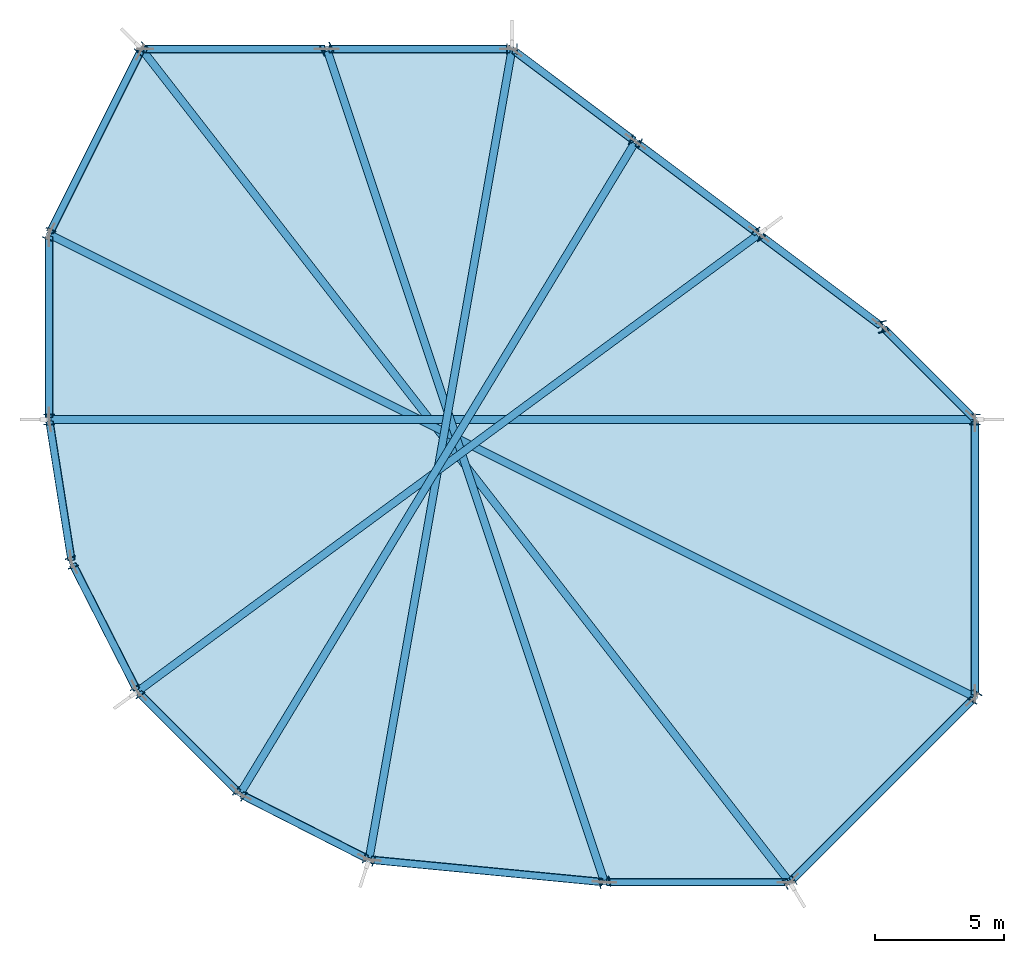
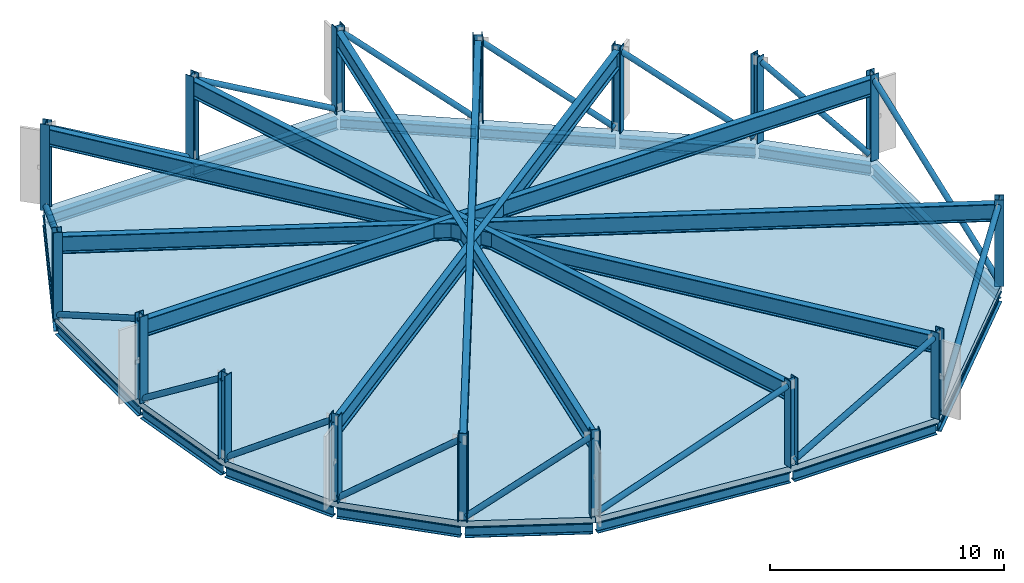
# One storey, part 1 of 5: 23 beams, 16 columns, 16 members, 1 slab.
"""IFC4 building model written with IfcOpenShell, lengths in metres."""

from ifc_helpers import new_model, si_unit, direction, frame, origin, origin_2d, place, context, subcontext, project, spatial, polyline, hollow_circle, i_section, outline, extrude, material, layer, layer_set, material_profile, profile_set, type_object, element, save


model = new_model("IFC4")

# Units and contexts
model_context = context("Model", 3, precision=1e-05, world=origin(), true_north=direction((0.0, 1.0)))
body_context = subcontext(model_context, "Body", "Model", "MODEL_VIEW")
ifc_project = project(units=[si_unit("LENGTHUNIT", "METRE"), si_unit("AREAUNIT", "SQUARE_METRE"), si_unit("VOLUMEUNIT", "CUBIC_METRE"), si_unit("PLANEANGLEUNIT", "RADIAN"), si_unit("MASSUNIT", "GRAM", prefix="KILO")], contexts=[model_context])

# Site, building, storey
site_placement = place(None, origin())
site = spatial("IfcSite", under=ifc_project, at=site_placement, CompositionType="ELEMENT")
building_placement = place(site_placement, origin())
building = spatial("IfcBuilding", under=site, at=building_placement, Name="Solnavia Interchange Tower", CompositionType="ELEMENT")
storey_placement = place(building_placement, frame((0.0, 0.0, 326.699951171875)))
storey = spatial("IfcBuildingStorey", under=building, at=storey_placement, Name="C06", CompositionType="ELEMENT", Elevation=326.699951171875)

# Columns
ifc_material_1 = material(Name="Steel S460", Category="steel")
ifc_material_profile_1 = material_profile(ifc_material_1, i_section(OverallWidth=0.405029296875, OverallDepth=0.4169921875, WebThickness=0.01806640625, FlangeThickness=0.028564453125, FilletRadius=0.014892578125, at=origin_2d()), Name="HD 400x262")
ifc_profile_set_1 = profile_set([ifc_material_profile_1], Name="Steel S460")
column_type = type_object("IfcColumnType", Name="CrownFrame-Col-HD400x262", PredefinedType="COLUMN", material=ifc_profile_set_1)
for number, where, z_axis, x_axis, name in (
    (1, (43.199951171875, 21.60009765625, 0.0), (0.0, 0.0, 1.0), (1.0, 0.0, 0.0), "COL-C06-CF01 CROWN FRAME ring column"),
    (2, (39.60009765625, 25.199951171875, 0.0), (0.0, 0.0, 1.0), (0.97012659649, 0.242599230795, 0.0), "COL-C06-CF02 CROWN FRAME ring column"),
    (3, (34.800048828125, 28.800048828125, 0.0), (0.0, 0.0, 1.0), (0.799998928149, 0.600001429133, 0.0), "COL-C06-CF03 CROWN FRAME ring column"),
    (4, (30.0, 32.39990234375, 0.0), (0.0, 0.0, 1.0), (0.406098768964, 0.913829190738, 0.0), "COL-C06-CF04 CROWN FRAME ring column"),
    (5, (25.199951171875, 36.0, 0.0), (0.0, 0.0, 1.0), (0.0, 1.0, 0.0), "COL-C06-CF05 CROWN FRAME ring column"),
    (6, (18.0, 36.0, 0.0), (0.0, 0.0, 1.0), (-0.447290848419, 0.89438856037, 0.0), "COL-C06-CF06 CROWN FRAME ring column"),
    (7, (10.800048828125, 36.0, 0.0), (0.0, 0.0, 1.0), (-0.707106781187, 0.707106781187, 0.0), "COL-C06-CF07 CROWN FRAME ring column"),
    (8, (7.199951171875, 28.800048828125, 0.0), (0.0, 0.0, 1.0), (-0.928485826881, 0.37136783555, 0.0), "COL-C06-CF08 CROWN FRAME ring column"),
    (9, (7.199951171875, 21.60009765625, 0.0), (0.0, 0.0, 1.0), (-1.0, 0.0, 0.0), "COL-C06-CF09 CROWN FRAME ring column"),
    (10, (8.0810546875, 16.0380859375, 0.0), (0.0, 0.0, 1.0), (-0.951056516295, -0.309016994375, 0.0), "COL-C06-CF10 CROWN FRAME ring column"),
    (11, (10.637939453125, 11.02001953125, 0.0), (0.0, 0.0, 1.0), (-0.809016994375, -0.587785252292, 0.0), "COL-C06-CF11 CROWN FRAME ring column"),
    (12, (14.6201171875, 7.0380859375, 0.0), (0.0, 0.0, 1.0), (-0.587785252292, -0.809016994375, 0.0), "COL-C06-CF12 CROWN FRAME ring column"),
    (13, (19.637939453125, 4.48095703125, 0.0), (0.0, 0.0, 1.0), (-0.309016994375, -0.951056516295, 0.0), "COL-C06-CF13 CROWN FRAME ring column"),
    (14, (28.800048828125, 3.60009765625, 0.0), (0.0, 0.0, 1.0), (0.196117290802, -0.980580444557, 0.0), "COL-C06-CF14 CROWN FRAME ring column"),
    (15, (36.0, 3.60009765625, 0.0), (0.0, 0.0, 1.0), (0.514439533782, -0.857526656194, 0.0), "COL-C06-CF15 CROWN FRAME ring column"),
    (16, (43.199951171875, 10.800048828125, 0.0), (0.0, 0.0, 1.0), (0.857526656194, -0.514439533782, 0.0), "COL-C06-CF16 CROWN FRAME ring column"),
):
    element("IfcColumn", number, at=place(storey_placement, frame(where, z_axis=z_axis, x_axis=x_axis)), inside=storey, type_object=column_type, Name=name, PredefinedType="COLUMN", context=body_context, shape_type="SweptSolid", body=[
        extrude(i_section(OverallWidth=0.405029296875, OverallDepth=0.4169921875, WebThickness=0.01806640625, FlangeThickness=0.028564453125, FilletRadius=0.014892578125, at=origin_2d()), origin(), (0.0, 0.0, 1.0), 4.5),
    ])

# Beams
ifc_material_profile_2 = material_profile(ifc_material_1, i_section(OverallWidth=0.300048828125, OverallDepth=0.89990234375, WebThickness=0.0185546875, FlangeThickness=0.034912109375, FilletRadius=0.030029296875, at=origin_2d()), Name="HEB 900")
ifc_profile_set_2 = profile_set([ifc_material_profile_2], Name="Steel S460")
beam_type_1 = type_object("IfcBeamType", Name="Beam-Girder-HEB900", PredefinedType="BEAM", material=ifc_profile_set_2)
beam_1_placement = place(storey_placement, frame((43.1201171875, 21.60009765625, 3.800048828125), z_axis=(-1.0, 0.0, 0.0), x_axis=(0.0, -1.0, 0.0)))
element("IfcBeam", 17, at=beam_1_placement, inside=storey, type_object=beam_type_1, Name="GRD-C06-CAP01 CROWN FRAME top cap spanning girder", PredefinedType="BEAM", context=body_context, shape_type="SweptSolid", body=[
    extrude(i_section(OverallWidth=0.300048828125, OverallDepth=0.89990234375, WebThickness=0.0185546875, FlangeThickness=0.034912109375, FilletRadius=0.030029296875, at=origin_2d()), origin(), (0.0, 0.0, 1.0), 35.840087890625),
])
beam_2_placement = place(storey_placement, frame((34.735595703125, 28.752685546875, 3.800048828125), z_axis=(-0.805429754795, -0.592691243474, 0.0), x_axis=(0.592691243474, -0.805429754795, 0.0)))
element("IfcBeam", 18, at=beam_2_placement, inside=storey, type_object=beam_type_1, Name="GRD-C06-CAP03 CROWN FRAME top cap spanning girder", PredefinedType="BEAM", context=body_context, shape_type="SweptSolid", body=[
    extrude(i_section(OverallWidth=0.300048828125, OverallDepth=0.89990234375, WebThickness=0.0185546875, FlangeThickness=0.034912109375, FilletRadius=0.030029296875, at=origin_2d()), origin(), (0.0, 0.0, 1.0), 29.8388671875),
])
beam_3_placement = place(storey_placement, frame((29.95849609375, 32.33154296875, 3.800048828125), z_axis=(-0.518523258901, -0.855063523943, 0.0), x_axis=(0.855063523943, -0.518523258901, 0.0)))
element("IfcBeam", 19, at=beam_3_placement, inside=storey, type_object=beam_type_1, Name="GRD-C06-CAP04 CROWN FRAME top cap spanning girder", PredefinedType="BEAM", context=body_context, shape_type="SweptSolid", body=[
    extrude(i_section(OverallWidth=0.300048828125, OverallDepth=0.89990234375, WebThickness=0.0185546875, FlangeThickness=0.034912109375, FilletRadius=0.030029296875, at=origin_2d()), origin(), (0.0, 0.0, 1.0), 29.500732421875),
])
beam_4_placement = place(storey_placement, frame((25.18603515625, 35.921142578125, 3.800048828125), z_axis=(-0.173780085823, -0.984784484936, 0.0), x_axis=(0.984784484936, -0.173780085823, 0.0)))
element("IfcBeam", 20, at=beam_4_placement, inside=storey, type_object=beam_type_1, Name="GRD-C06-CAP05 CROWN FRAME top cap spanning girder", PredefinedType="BEAM", context=body_context, shape_type="SweptSolid", body=[
    extrude(i_section(OverallWidth=0.300048828125, OverallDepth=0.89990234375, WebThickness=0.0185546875, FlangeThickness=0.034912109375, FilletRadius=0.030029296875, at=origin_2d()), origin(), (0.0, 0.0, 1.0), 31.845947265625),
])
beam_5_placement = place(storey_placement, frame((18.025390625, 35.924072265625, 3.800048828125), z_axis=(0.316223456716, -0.948684734473, 0.0), x_axis=(0.948684734473, 0.316223456716, 0.0)))
element("IfcBeam", 21, at=beam_5_placement, inside=storey, type_object=beam_type_1, Name="GRD-C06-CAP06 CROWN FRAME top cap spanning girder", PredefinedType="BEAM", context=body_context, shape_type="SweptSolid", body=[
    extrude(i_section(OverallWidth=0.300048828125, OverallDepth=0.89990234375, WebThickness=0.0185546875, FlangeThickness=0.034912109375, FilletRadius=0.030029296875, at=origin_2d()), origin(), (0.0, 0.0, 1.0), 33.99267578125),
])
beam_6_placement = place(storey_placement, frame((10.84912109375, 35.93701171875, 3.800048828125), z_axis=(0.613938546567, -0.789353824998, 0.0), x_axis=(0.789353824998, 0.613938546567, 0.0)))
element("IfcBeam", 22, at=beam_6_placement, inside=storey, type_object=beam_type_1, Name="GRD-C06-CAP07 CROWN FRAME top cap spanning girder", PredefinedType="BEAM", context=body_context, shape_type="SweptSolid", body=[
    extrude(i_section(OverallWidth=0.300048828125, OverallDepth=0.89990234375, WebThickness=0.0185546875, FlangeThickness=0.034912109375, FilletRadius=0.030029296875, at=origin_2d()), origin(), (0.0, 0.0, 1.0), 40.886474609375),
])
beam_7_placement = place(storey_placement, frame((7.271484375, 28.76416015625, 3.800048828125), z_axis=(0.894427191, -0.4472135955, 0.0), x_axis=(0.4472135955, 0.894427191, 0.0)))
element("IfcBeam", 23, at=beam_7_placement, inside=storey, type_object=beam_type_1, Name="GRD-C06-CAP08 CROWN FRAME top cap spanning girder", PredefinedType="BEAM", context=body_context, shape_type="SweptSolid", body=[
    extrude(i_section(OverallWidth=0.300048828125, OverallDepth=0.89990234375, WebThickness=0.0185546875, FlangeThickness=0.034912109375, FilletRadius=0.030029296875, at=origin_2d()), origin(), (0.0, 0.0, 1.0), 40.08935546875),
])

# Members
ifc_material_2 = material(Name="Steel S355", Category="steel")
ifc_material_profile_3 = material_profile(ifc_material_2, hollow_circle(Radius=0.136474609375, WallThickness=0.012451171875, at=origin_2d()), Name="CHS 273x12.5")
ifc_profile_set_3 = profile_set([ifc_material_profile_3], Name="Steel S355")
member_type = type_object("IfcMemberType", Name="CrownFrame-Brace-CHS273", PredefinedType="BRACE", material=ifc_profile_set_3)
member_1_placement = place(storey_placement, frame((43.10107421875, 21.698974609375, 0.179931640625), z_axis=(-0.54483653527, 0.54483653527, 0.637421602764), x_axis=(-0.707106781187, -0.707106781187, 0.0)))
element("IfcMember", 24, at=member_1_placement, inside=storey, type_object=member_type, Name="BRC-C06-CF01 CROWN FRAME ring brace", PredefinedType="BRACE", context=body_context, shape_type="SweptSolid", body=[
    extrude(hollow_circle(Radius=0.136474609375, WallThickness=0.012451171875, at=origin_2d()), origin(), (0.0, 0.0, 1.0), 6.244140625),
])
for number, where, z_axis, x_axis, name in (
    (25, (39.488037109375, 25.283935546875, 0.179931640625), (-0.656653388761, 0.492516317516, 0.571168980258), (-0.600020487058, -0.799984634296, 0.0), "BRC-C06-CF02 CROWN FRAME ring brace"),
    (26, (34.68798828125, 28.884033203125, 0.179931640625), (-0.656664719277, 0.492489780658, 0.571178835745), (-0.599993170718, -0.800005121916, 0.0), "BRC-C06-CF03 CROWN FRAME ring brace"),
    (27, (29.887939453125, 32.48388671875, 0.179931640625), (-0.656653388761, 0.492516317516, 0.571168980258), (-0.600020487058, -0.799984634296, 0.0), "BRC-C06-CF04 CROWN FRAME ring brace"),
):
    element("IfcMember", number, at=place(storey_placement, frame(where, z_axis=z_axis, x_axis=x_axis)), inside=storey, type_object=member_type, Name=name, PredefinedType="BRACE", context=body_context, shape_type="SweptSolid", body=[
        extrude(hollow_circle(Radius=0.136474609375, WallThickness=0.012451171875, at=origin_2d()), origin(), (0.0, 0.0, 1.0), 6.968505859375),
    ])
for number, where, z_axis, x_axis, name in (
    (28, (25.06005859375, 36.0, 0.179931640625), (-0.866845175748, 0.0, 0.498577417542), (0.0, -1.0, 0.0), "BRC-C06-CF05 CROWN FRAME ring brace"),
    (29, (17.860107421875, 36.0, 0.179931640625), (-0.866845175748, 0.0, 0.498577417542), (0.0, -1.0, 0.0), "BRC-C06-CF06 CROWN FRAME ring brace"),
):
    element("IfcMember", number, at=place(storey_placement, frame(where, z_axis=z_axis, x_axis=x_axis)), inside=storey, type_object=member_type, Name=name, PredefinedType="BRACE", context=body_context, shape_type="SweptSolid", body=[
        extrude(hollow_circle(Radius=0.136474609375, WallThickness=0.012451171875, at=origin_2d()), origin(), (0.0, 0.0, 1.0), 7.983154296875),
    ])
member_2_placement = place(storey_placement, frame((10.7373046875, 35.874755859375, 0.179931640625), z_axis=(-0.398015172744, -0.796058311704, 0.455933204135), x_axis=(0.894433475355, -0.447201026568, 0.0)))
element("IfcMember", 30, at=member_2_placement, inside=storey, type_object=member_type, Name="BRC-C06-CF07 CROWN FRAME ring brace", PredefinedType="BRACE", context=body_context, shape_type="SweptSolid", body=[
    extrude(hollow_circle(Radius=0.136474609375, WallThickness=0.012451171875, at=origin_2d()), origin(), (0.0, 0.0, 1.0), 8.729736328125),
])
member_3_placement = place(storey_placement, frame((7.199951171875, 28.659912109375, 0.179931640625), z_axis=(0.0, -0.866837573403, 0.498590635027), x_axis=(1.0, 0.0, 0.0)))
element("IfcMember", 31, at=member_3_placement, inside=storey, type_object=member_type, Name="BRC-C06-CF08 CROWN FRAME ring brace", PredefinedType="BRACE", context=body_context, shape_type="SweptSolid", body=[
    extrude(hollow_circle(Radius=0.136474609375, WallThickness=0.012451171875, at=origin_2d()), origin(), (0.0, 0.0, 1.0), 7.98291015625),
])
member_4_placement = place(storey_placement, frame((7.221923828125, 21.461669921875, 0.179931640625), z_axis=(0.125525677174, -0.792506673995, 0.596805224544), x_axis=(0.987687387175, 0.156440484578, 0.0)))
element("IfcMember", 32, at=member_4_placement, inside=storey, type_object=member_type, Name="BRC-C06-CF09 CROWN FRAME ring brace", PredefinedType="BRACE", context=body_context, shape_type="SweptSolid", body=[
    extrude(hollow_circle(Radius=0.136474609375, WallThickness=0.012451171875, at=origin_2d()), origin(), (0.0, 0.0, 1.0), 6.669189453125),
])
member_5_placement = place(storey_placement, frame((8.14453125, 15.913330078125, 0.179931640625), z_axis=(0.364320000795, -0.71495009098, 0.596755648845), x_axis=(0.890989013648, 0.454024864471, 0.0)))
element("IfcMember", 33, at=member_5_placement, inside=storey, type_object=member_type, Name="BRC-C06-CF10 CROWN FRAME ring brace", PredefinedType="BRACE", context=body_context, shape_type="SweptSolid", body=[
    extrude(hollow_circle(Radius=0.136474609375, WallThickness=0.012451171875, at=origin_2d()), origin(), (0.0, 0.0, 1.0), 6.669677734375),
])
member_6_placement = place(storey_placement, frame((10.737060546875, 10.9208984375, 0.179931640625), z_axis=(0.567372843335, -0.567372843335, 0.596804920633), x_axis=(0.707106781187, 0.707106781187, 0.0)))
element("IfcMember", 34, at=member_6_placement, inside=storey, type_object=member_type, Name="BRC-C06-CF11 CROWN FRAME ring brace", PredefinedType="BRACE", context=body_context, shape_type="SweptSolid", body=[
    extrude(hollow_circle(Radius=0.136474609375, WallThickness=0.012451171875, at=origin_2d()), origin(), (0.0, 0.0, 1.0), 6.669189453125),
])
member_7_placement = place(storey_placement, frame((14.74462890625, 6.974365234375, 0.179931640625), z_axis=(0.714959624968, -0.36428825454, 0.596763606689), x_axis=(0.45398864986, 0.891007466747, 0.0)))
element("IfcMember", 35, at=member_7_placement, inside=storey, type_object=member_type, Name="BRC-C06-CF12 CROWN FRAME ring brace", PredefinedType="BRACE", context=body_context, shape_type="SweptSolid", body=[
    extrude(hollow_circle(Radius=0.136474609375, WallThickness=0.012451171875, at=origin_2d()), origin(), (0.0, 0.0, 1.0), 6.669677734375),
])
member_8_placement = place(storey_placement, frame((19.77734375, 4.467529296875, 0.179931640625), z_axis=(0.90909000088, -0.087421148603, 0.407324088505), x_axis=(0.095721789585, 0.99540812685, 0.0)))
element("IfcMember", 36, at=member_8_placement, inside=storey, type_object=member_type, Name="BRC-C06-CF13 CROWN FRAME ring brace", PredefinedType="BRACE", context=body_context, shape_type="SweptSolid", body=[
    extrude(hollow_circle(Radius=0.136474609375, WallThickness=0.012451171875, at=origin_2d()), origin(), (0.0, 0.0, 1.0), 9.771728515625),
])
member_9_placement = place(storey_placement, frame((28.93994140625, 3.60009765625, 0.179931640625), z_axis=(0.866845175748, 0.0, 0.498577417542), x_axis=(0.0, 1.0, 0.0)))
element("IfcMember", 37, at=member_9_placement, inside=storey, type_object=member_type, Name="BRC-C06-CF14 CROWN FRAME ring brace", PredefinedType="BRACE", context=body_context, shape_type="SweptSolid", body=[
    extrude(hollow_circle(Radius=0.136474609375, WallThickness=0.012451171875, at=origin_2d()), origin(), (0.0, 0.0, 1.0), 7.983154296875),
])
member_10_placement = place(storey_placement, frame((36.09912109375, 3.698974609375, 0.179931640625), z_axis=(0.656089790069, 0.656089790069, 0.372950901238), x_axis=(-0.707106781187, 0.707106781187, 0.0)))
element("IfcMember", 38, at=member_10_placement, inside=storey, type_object=member_type, Name="BRC-C06-CF15 CROWN FRAME ring brace", PredefinedType="BRACE", context=body_context, shape_type="SweptSolid", body=[
    extrude(hollow_circle(Radius=0.136474609375, WallThickness=0.012451171875, at=origin_2d()), origin(), (0.0, 0.0, 1.0), 10.67236328125),
])
member_11_placement = place(storey_placement, frame((43.199951171875, 10.93994140625, 0.179931640625), z_axis=(0.0, 0.935295771537, 0.353866952039), x_axis=(-1.0, 0.0, 0.0)))
element("IfcMember", 39, at=member_11_placement, inside=storey, type_object=member_type, Name="BRC-C06-CF16 CROWN FRAME ring brace", PredefinedType="BRACE", context=body_context, shape_type="SweptSolid", body=[
    extrude(hollow_circle(Radius=0.136474609375, WallThickness=0.012451171875, at=origin_2d()), origin(), (0.0, 0.0, 1.0), 11.247802734375),
])

# Beams
ifc_material_profile_4 = material_profile(ifc_material_1, i_section(OverallWidth=0.300048828125, OverallDepth=0.550048828125, WebThickness=0.014892578125, FlangeThickness=0.029052734375, FilletRadius=0.027099609375, at=origin_2d()), Name="HEB 550")
ifc_profile_set_4 = profile_set([ifc_material_profile_4], Name="Steel S460")
beam_type_2 = type_object("IfcBeamType", Name="CrownFrame-Ring-HEB550", PredefinedType="BEAM", material=ifc_profile_set_4)
beam_8_placement = place(storey_placement, frame((43.143310546875, 21.656494140625, -0.574951171875), z_axis=(-0.707106781187, 0.707106781187, 0.0), x_axis=(-0.707106781187, -0.707106781187, 0.0)))
element("IfcBeam", 40, at=beam_8_placement, inside=storey, type_object=beam_type_2, Name="GRD-C06-CR01 CROWN FRAME outer collar ring beam", PredefinedType="BEAM", context=body_context, shape_type="SweptSolid", body=[
    extrude(i_section(OverallWidth=0.300048828125, OverallDepth=0.550048828125, WebThickness=0.014892578125, FlangeThickness=0.029052734375, FilletRadius=0.027099609375, at=origin_2d()), origin(), (0.0, 0.0, 1.0), 4.93115234375),
])
beam_9_placement = place(storey_placement, frame((39.535888671875, 25.248046875, -0.574951171875), z_axis=(-0.8, 0.6, 0.0), x_axis=(-0.6, -0.8, 0.0)))
element("IfcBeam", 41, at=beam_9_placement, inside=storey, type_object=beam_type_2, Name="GRD-C06-CR02 CROWN FRAME outer collar ring beam", PredefinedType="BEAM", context=body_context, shape_type="SweptSolid", body=[
    extrude(i_section(OverallWidth=0.300048828125, OverallDepth=0.550048828125, WebThickness=0.014892578125, FlangeThickness=0.029052734375, FilletRadius=0.027099609375, at=origin_2d()), origin(), (0.0, 0.0, 1.0), 5.83984375),
])
for number, where, z_axis, x_axis, name in (
    (42, (34.736083984375, 28.847900390625, -0.574951171875), (-0.799994983543, 0.600006688551, 0.0), (-0.600006688551, -0.799994983543, 0.0), "GRD-C06-CR03 CROWN FRAME outer collar ring beam"),
    (43, (29.93603515625, 32.447998046875, -0.574951171875), (-0.800015049412, 0.599979933593, 0.0), (-0.599979933593, -0.800015049412, 0.0), "GRD-C06-CR04 CROWN FRAME outer collar ring beam"),
):
    element("IfcBeam", number, at=place(storey_placement, frame(where, z_axis=z_axis, x_axis=x_axis)), inside=storey, type_object=beam_type_2, Name=name, PredefinedType="BEAM", context=body_context, shape_type="SweptSolid", body=[
        extrude(i_section(OverallWidth=0.300048828125, OverallDepth=0.550048828125, WebThickness=0.014892578125, FlangeThickness=0.029052734375, FilletRadius=0.027099609375, at=origin_2d()), origin(), (0.0, 0.0, 1.0), 5.840087890625),
    ])
for number, where, z_axis, x_axis, name in (
    (44, (25.1201171875, 36.0, -0.574951171875), (-1.0, 0.0, 0.0), (0.0, -1.0, 0.0), "GRD-C06-CR05 CROWN FRAME outer collar ring beam"),
    (45, (17.919921875, 36.0, -0.574951171875), (-1.0, 0.0, 0.0), (0.0, -1.0, 0.0), "GRD-C06-CR06 CROWN FRAME outer collar ring beam"),
):
    element("IfcBeam", number, at=place(storey_placement, frame(where, z_axis=z_axis, x_axis=x_axis)), inside=storey, type_object=beam_type_2, Name=name, PredefinedType="BEAM", context=body_context, shape_type="SweptSolid", body=[
        extrude(i_section(OverallWidth=0.300048828125, OverallDepth=0.550048828125, WebThickness=0.014892578125, FlangeThickness=0.029052734375, FilletRadius=0.027099609375, at=origin_2d()), origin(), (0.0, 0.0, 1.0), 7.0400390625),
    ])
beam_10_placement = place(storey_placement, frame((10.76416015625, 35.928466796875, -0.574951171875), z_axis=(-0.447201217898, -0.894433379694, 0.0), x_axis=(0.894433379694, -0.447201217898, 0.0)))
element("IfcBeam", 46, at=beam_10_placement, inside=storey, type_object=beam_type_2, Name="GRD-C06-CR07 CROWN FRAME outer collar ring beam", PredefinedType="BEAM", context=body_context, shape_type="SweptSolid", body=[
    extrude(i_section(OverallWidth=0.300048828125, OverallDepth=0.550048828125, WebThickness=0.014892578125, FlangeThickness=0.029052734375, FilletRadius=0.027099609375, at=origin_2d()), origin(), (0.0, 0.0, 1.0), 7.889892578125),
])
beam_11_placement = place(storey_placement, frame((7.199951171875, 28.719970703125, -0.574951171875), z_axis=(0.0, -1.0, 0.0), x_axis=(1.0, 0.0, 0.0)))
element("IfcBeam", 47, at=beam_11_placement, inside=storey, type_object=beam_type_2, Name="GRD-C06-CR08 CROWN FRAME outer collar ring beam", PredefinedType="BEAM", context=body_context, shape_type="SweptSolid", body=[
    extrude(i_section(OverallWidth=0.300048828125, OverallDepth=0.550048828125, WebThickness=0.014892578125, FlangeThickness=0.029052734375, FilletRadius=0.027099609375, at=origin_2d()), origin(), (0.0, 0.0, 1.0), 7.0400390625),
])
beam_12_placement = place(storey_placement, frame((7.21240234375, 21.52099609375, -0.574951171875), z_axis=(0.156484976244, -0.987680339082, 0.0), x_axis=(0.987680339082, 0.156484976244, 0.0)))
element("IfcBeam", 48, at=beam_12_placement, inside=storey, type_object=beam_type_2, Name="GRD-C06-CR09 CROWN FRAME outer collar ring beam", PredefinedType="BEAM", context=body_context, shape_type="SweptSolid", body=[
    extrude(i_section(OverallWidth=0.300048828125, OverallDepth=0.550048828125, WebThickness=0.014892578125, FlangeThickness=0.029052734375, FilletRadius=0.027099609375, at=origin_2d()), origin(), (0.0, 0.0, 1.0), 5.471435546875),
])
beam_13_placement = place(storey_placement, frame((8.1171875, 15.966796875, -0.574951171875), z_axis=(0.454053431986, -0.890974455808, 0.0), x_axis=(0.890974455808, 0.454053431986, 0.0)))
element("IfcBeam", 49, at=beam_13_placement, inside=storey, type_object=beam_type_2, Name="GRD-C06-CR10 CROWN FRAME outer collar ring beam", PredefinedType="BEAM", context=body_context, shape_type="SweptSolid", body=[
    extrude(i_section(OverallWidth=0.300048828125, OverallDepth=0.550048828125, WebThickness=0.014892578125, FlangeThickness=0.029052734375, FilletRadius=0.027099609375, at=origin_2d()), origin(), (0.0, 0.0, 1.0), 5.47216796875),
])
beam_14_placement = place(storey_placement, frame((10.694580078125, 10.96337890625, -0.574951171875), z_axis=(0.707106781187, -0.707106781187, 0.0), x_axis=(0.707106781187, 0.707106781187, 0.0)))
element("IfcBeam", 50, at=beam_14_placement, inside=storey, type_object=beam_type_2, Name="GRD-C06-CR11 CROWN FRAME outer collar ring beam", PredefinedType="BEAM", context=body_context, shape_type="SweptSolid", body=[
    extrude(i_section(OverallWidth=0.300048828125, OverallDepth=0.550048828125, WebThickness=0.014892578125, FlangeThickness=0.029052734375, FilletRadius=0.027099609375, at=origin_2d()), origin(), (0.0, 0.0, 1.0), 5.471435546875),
])
beam_15_placement = place(storey_placement, frame((14.69140625, 7.001708984375, -0.574951171875), z_axis=(0.890983307267, -0.454036062634, 0.0), x_axis=(0.454036062634, 0.890983307267, 0.0)))
element("IfcBeam", 51, at=beam_15_placement, inside=storey, type_object=beam_type_2, Name="GRD-C06-CR12 CROWN FRAME outer collar ring beam", PredefinedType="BEAM", context=body_context, shape_type="SweptSolid", body=[
    extrude(i_section(OverallWidth=0.300048828125, OverallDepth=0.550048828125, WebThickness=0.014892578125, FlangeThickness=0.029052734375, FilletRadius=0.027099609375, at=origin_2d()), origin(), (0.0, 0.0, 1.0), 5.4716796875),
])
beam_16_placement = place(storey_placement, frame((19.717529296875, 4.473388671875, -0.574951171875), z_axis=(0.995408435602, -0.095718578822, 0.0), x_axis=(0.095718578822, 0.995408435602, 0.0)))
element("IfcBeam", 52, at=beam_16_placement, inside=storey, type_object=beam_type_2, Name="GRD-C06-CR13 CROWN FRAME outer collar ring beam", PredefinedType="BEAM", context=body_context, shape_type="SweptSolid", body=[
    extrude(i_section(OverallWidth=0.300048828125, OverallDepth=0.550048828125, WebThickness=0.014892578125, FlangeThickness=0.029052734375, FilletRadius=0.027099609375, at=origin_2d()), origin(), (0.0, 0.0, 1.0), 9.04443359375),
])
beam_17_placement = place(storey_placement, frame((28.8798828125, 3.60009765625, -0.574951171875), z_axis=(1.0, 0.0, 0.0), x_axis=(0.0, 1.0, 0.0)))
element("IfcBeam", 53, at=beam_17_placement, inside=storey, type_object=beam_type_2, Name="GRD-C06-CR14 CROWN FRAME outer collar ring beam", PredefinedType="BEAM", context=body_context, shape_type="SweptSolid", body=[
    extrude(i_section(OverallWidth=0.300048828125, OverallDepth=0.550048828125, WebThickness=0.014892578125, FlangeThickness=0.029052734375, FilletRadius=0.027099609375, at=origin_2d()), origin(), (0.0, 0.0, 1.0), 7.0400390625),
])
beam_18_placement = place(storey_placement, frame((36.056640625, 3.656494140625, -0.574951171875), z_axis=(0.707094601135, 0.707118961028, 0.0), x_axis=(-0.707118961028, 0.707094601135, 0.0)))
element("IfcBeam", 54, at=beam_18_placement, inside=storey, type_object=beam_type_2, Name="GRD-C06-CR15 CROWN FRAME outer collar ring beam", PredefinedType="BEAM", context=body_context, shape_type="SweptSolid", body=[
    extrude(i_section(OverallWidth=0.300048828125, OverallDepth=0.550048828125, WebThickness=0.014892578125, FlangeThickness=0.029052734375, FilletRadius=0.027099609375, at=origin_2d()), origin(), (0.0, 0.0, 1.0), 10.022216796875),
])
beam_19_placement = place(storey_placement, frame((43.199951171875, 10.8798828125, -0.574951171875), z_axis=(0.0, 1.0, 0.0), x_axis=(-1.0, 0.0, 0.0)))
element("IfcBeam", 55, at=beam_19_placement, inside=storey, type_object=beam_type_2, Name="GRD-C06-CR16 CROWN FRAME outer collar ring beam", PredefinedType="BEAM", context=body_context, shape_type="SweptSolid", body=[
    extrude(i_section(OverallWidth=0.300048828125, OverallDepth=0.550048828125, WebThickness=0.014892578125, FlangeThickness=0.029052734375, FilletRadius=0.027099609375, at=origin_2d()), origin(), (0.0, 0.0, 1.0), 10.64013671875),
])

# Slab
ifc_material_3 = material(Name="Concrete C40/50", Category="concrete")
ifc_layer = layer(ifc_material_3, 0.300048828125)
ifc_layer_set = layer_set([ifc_layer], Name="Concrete C40/50")
slab_type = type_object("IfcSlabType", Name="Slab-Roof-300", PredefinedType="ROOF", material=ifc_layer_set)
slab_placement = place(storey_placement, frame((0.0, 0.0, -0.300048828125)))
element("IfcSlab", 56, at=slab_placement, inside=storey, type_object=slab_type, Name="SLB-C06-01 Structural roof slab", PredefinedType="ROOF", context=body_context, shape_type="SweptSolid", body=[
    extrude(outline(polyline([(43.300048828125, 21.64111328125), (43.300048828125, 10.759033203125), (36.041015625, 3.5), (28.794921875, 3.5), (19.610107421875, 4.383056640625), (14.56005859375, 6.9560546875), (10.555908203125, 10.9599609375), (7.985107421875, 16.007080078125), (7.10009765625, 21.592041015625), (7.10009765625, 28.823974609375), (10.738037109375, 36.10009765625), (25.23291015625, 36.10009765625), (30.06005859375, 32.47998046875), (34.860107421875, 28.8798828125), (39.666015625, 25.27587890625), (43.300048828125, 21.64111328125)])), origin(), (0.0, 0.0, 1.0), 0.300048828125),
])

save(model, "model.ifc")
